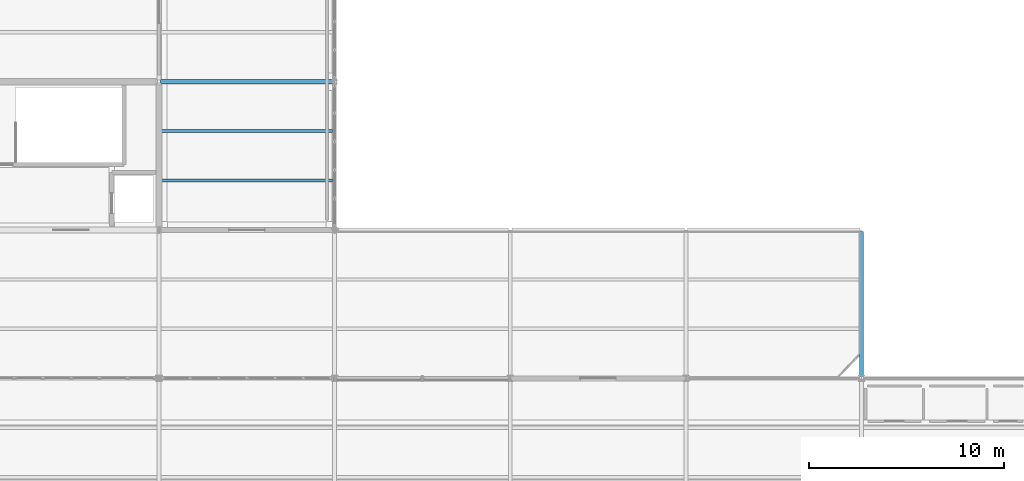
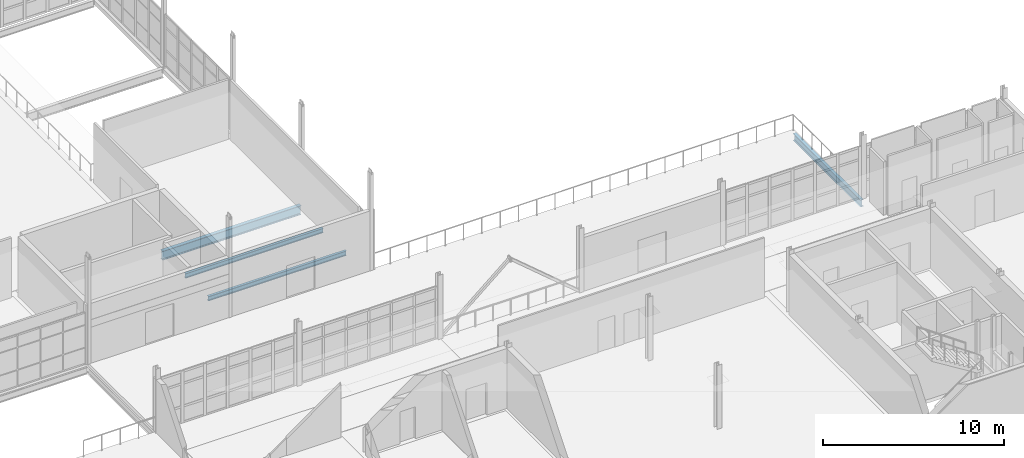
# One storey, part 65 of 166: 4 beams.
"""IFC4 building model written with IfcOpenShell, lengths in metres."""

import ifcopenshell
import ifcopenshell.guid

model = None  # the IFC model being written
_history = None  # IfcOwnerHistory: only IFC2X3 demands one
_inside = {}  # id of a spatial element -> (the spatial element, [elements in it])
_under = {}  # id of a project, library or spatial element -> (it, [spatial elements below it])
_declared = {}  # id of a project -> (the project, [libraries it declares])
_typed = {}  # id of a type object -> (the type object, [elements of that type])
_made_of = {}  # id of a material, layer set ... -> (it, [elements and type objects made of it])


def new_model(schema):
    """Start an empty IFC model of exactly this schema.

    Asked for "IFC4X3", IfcOpenShell would pick the latest addendum, in which some entities
    have other attributes; the version numbers below select the first issue.
    IFC2X3 requires an IfcOwnerHistory on every rooted entity: one is made here for all.
    """
    global model, _history
    if schema == "IFC4X3":
        model = ifcopenshell.file(schema_version=(4, 3, 0, 0))
    else:
        model = ifcopenshell.file(schema=schema)
    _inside.clear()
    _under.clear()
    _declared.clear()
    _typed.clear()
    _made_of.clear()
    _history = None
    if model.schema == "IFC2X3":
        org = make("IfcOrganization", Name="unknown")
        user = make(
            "IfcPersonAndOrganization",
            ThePerson=make("IfcPerson", FamilyName="unknown"),
            TheOrganization=org,
        )
        app = make(
            "IfcApplication",
            ApplicationDeveloper=org,
            Version="unknown",
            ApplicationFullName="unknown",
            ApplicationIdentifier="unknown",
        )
        _history = make(
            "IfcOwnerHistory",
            OwningUser=user,
            OwningApplication=app,
            ChangeAction="ADDED",
            CreationDate=0,
        )
    return model


def make(cls, **values):
    """One entity of the class cls with the attributes given. An attribute that is None is left unset."""
    return model.create_entity(
        cls, **{name: value for name, value in values.items() if value is not None}
    )


def rooted(cls, **values):
    """An entity with a GlobalId (a new one), such as an element, a storey or a relation."""
    return make(cls, GlobalId=ifcopenshell.guid.new(), OwnerHistory=_history, **values)


def si_unit(unit_type, name, prefix=None):
    """IfcSIUnit, for example si_unit("LENGTHUNIT", "METRE", prefix="MILLI")."""
    return make("IfcSIUnit", UnitType=unit_type, Prefix=prefix, Name=name)


def assignment(units):
    """IfcUnitAssignment: the units of a project."""
    return None if units is None else make("IfcUnitAssignment", Units=units)


def point(xyz):
    """IfcCartesianPoint."""
    return None if xyz is None else make("IfcCartesianPoint", Coordinates=xyz)


def direction(xyz):
    """IfcDirection."""
    return None if xyz is None else make("IfcDirection", DirectionRatios=xyz)


def frame(location, z_axis=None, x_axis=None):
    """IfcAxis2Placement3D, a coordinate frame: its origin and axes. An axis left out is left unset."""
    return make(
        "IfcAxis2Placement3D",
        Location=point(location),
        Axis=direction(z_axis),
        RefDirection=direction(x_axis),
    )


def frame_2d(location, x_axis=None):
    """IfcAxis2Placement2D, a coordinate frame in the plane: its origin and x axis."""
    return make(
        "IfcAxis2Placement2D", Location=point(location), RefDirection=direction(x_axis)
    )


def origin():
    """The frame at (0, 0, 0) with its axes left unset."""
    return frame((0.0, 0.0, 0.0))


def origin_2d():
    """The frame at (0, 0) in the plane with its x axis left unset."""
    return frame_2d((0.0, 0.0))


def place(relative_to, where):
    """IfcLocalPlacement: puts the frame where relative to a parent placement (None: the world)."""
    return make(
        "IfcLocalPlacement", PlacementRelTo=relative_to, RelativePlacement=where
    )


def context(
    kind, dimensions, precision=None, world=None, true_north=None, identifier=None
):
    """IfcGeometricRepresentationContext, for example the 3D "Model" context."""
    return make(
        "IfcGeometricRepresentationContext",
        ContextIdentifier=identifier,
        ContextType=kind,
        CoordinateSpaceDimension=dimensions,
        Precision=precision,
        WorldCoordinateSystem=world,
        TrueNorth=true_north,
    )


def subcontext(parent, identifier, kind, view, scale=None):
    """IfcGeometricRepresentationSubContext, for example "Body" below "Model"."""
    return make(
        "IfcGeometricRepresentationSubContext",
        ContextIdentifier=identifier,
        ContextType=kind,
        ParentContext=parent,
        TargetScale=scale,
        TargetView=view,
    )


def project(units=None, contexts=None):
    """IfcProject with its units and contexts."""
    return rooted(
        "IfcProject",
        Name="project",
        RepresentationContexts=contexts,
        UnitsInContext=assignment(units),
    )


def spatial(cls, under=None, at=None, **own):
    """A site, building, storey or space (cls), placed at a placement, below another one or the project."""
    s = rooted(cls, ObjectPlacement=at, **own)
    if under is not None:
        _under.setdefault(under.id(), (under, []))[1].append(s)
    return s


def profile(cls, at=None, kind="AREA", **sizes):
    """A parametric profile (cls). Its sizes go by their IFC names, for example OverallWidth=200.0."""
    return make(cls, ProfileType=kind, Position=at, **sizes)


def i_section(**sizes):
    """IfcIShapeProfileDef."""
    return profile("IfcIShapeProfileDef", **sizes)


def extrude(swept, where, along, depth):
    """IfcExtrudedAreaSolid: the profile swept, set in the frame where, extruded along a direction by depth."""
    return make(
        "IfcExtrudedAreaSolid",
        SweptArea=swept,
        Position=where,
        ExtrudedDirection=direction(along),
        Depth=depth,
    )


def shape(context_of_items, identifier, shape_type, items):
    """IfcShapeRepresentation: the items that make up one representation, for example the "Body"."""
    return make(
        "IfcShapeRepresentation",
        ContextOfItems=context_of_items,
        RepresentationIdentifier=identifier,
        RepresentationType=shape_type,
        Items=items,
    )


def material(Name=None, Category=None):
    """IfcMaterial."""
    return make("IfcMaterial", Name=Name, Category=Category)


def material_profile(
    of_material, cross_section, Name=None, Category=None, Priority=None
):
    """IfcMaterialProfile: a cross section and its material."""
    return make(
        "IfcMaterialProfile",
        Name=Name,
        Material=of_material,
        Profile=cross_section,
        Priority=Priority,
        Category=Category,
    )


def profile_set(profiles, Name=None, composite=None):
    """IfcMaterialProfileSet."""
    return make(
        "IfcMaterialProfileSet",
        Name=Name,
        MaterialProfiles=profiles,
        CompositeProfile=composite,
    )


def made_of(thing, what):
    """Note that an element or type object is made of a material, layer set ...; save() writes the relation."""
    if what is not None:
        _made_of.setdefault(what.id(), (what, []))[1].append(thing)
    return thing


def type_object(cls, material=None, **own):
    """A type object (cls), such as IfcWallType, which elements share."""
    return made_of(rooted(cls, **own), material)


def element(
    cls,
    number,
    at=None,
    inside=None,
    cuts=None,
    type_object=None,
    material=None,
    context=None,
    identifier="Body",
    shape_type=None,
    held_by="IfcProductDefinitionShape",
    body=None,
    shapes=None,
    **own,
):
    """One element of the class cls, such as IfcWall. Its Tag is "e" and its number.

    at: its placement. inside: the storey or other place that contains it. cuts: it is an
    opening in that element (IfcRelVoidsElement). A single representation is given by context,
    identifier, shape_type and body (its items); several are given by shapes. held_by: the class
    of the entity that holds the representations. save() writes the other relations.
    """
    e = rooted(cls, Tag="e%d" % number, ObjectPlacement=at, **own)
    if body is not None:
        shapes = [shape(context, identifier, shape_type, body)]
    if shapes is not None:
        e.Representation = make(held_by, Representations=shapes)
    if inside is not None:
        _inside.setdefault(inside.id(), (inside, []))[1].append(e)
    if cuts is not None:
        rooted(
            "IfcRelVoidsElement", RelatingBuildingElement=cuts, RelatedOpeningElement=e
        )
    if type_object is not None:
        _typed.setdefault(type_object.id(), (type_object, []))[1].append(e)
    return made_of(e, material)


def aggregate(whole, parts):
    """IfcRelAggregates: a whole, such as a stair, and the parts it consists of."""
    return rooted("IfcRelAggregates", RelatingObject=whole, RelatedObjects=parts)


def save(model, path):
    """Write the relations noted so far, then the file.

    IfcRelAggregates (storeys below a building ...), IfcRelContainedInSpatialStructure (elements
    in a storey), IfcRelDefinesByType, IfcRelAssociatesMaterial and IfcRelDeclares: one each for
    every whole, place, type object, material and project.
    """
    for whole, parts in _under.values():
        aggregate(whole, parts)
    for where, things in _inside.values():
        rooted(
            "IfcRelContainedInSpatialStructure",
            RelatedElements=things,
            RelatingStructure=where,
        )
    for kind, things in _typed.values():
        rooted("IfcRelDefinesByType", RelatedObjects=things, RelatingType=kind)
    for what, things in _made_of.values():
        rooted("IfcRelAssociatesMaterial", RelatedObjects=things, RelatingMaterial=what)
    for by, libraries in _declared.values():
        rooted("IfcRelDeclares", RelatingContext=by, RelatedDefinitions=libraries)
    model.write(path)


model = new_model("IFC4")

# Units and contexts
model_context = context("Model", 3, precision=1e-05, world=origin(), true_north=direction((0.0, 1.0)))
body_context = subcontext(model_context, "Body", "Model", "MODEL_VIEW")
ifc_project = project(units=[si_unit("LENGTHUNIT", "METRE"), si_unit("AREAUNIT", "SQUARE_METRE"), si_unit("VOLUMEUNIT", "CUBIC_METRE"), si_unit("PLANEANGLEUNIT", "RADIAN"), si_unit("MASSUNIT", "GRAM", prefix="KILO")], contexts=[model_context])

# Site, building, storey
site_placement = place(None, origin())
site = spatial("IfcSite", under=ifc_project, at=site_placement, CompositionType="ELEMENT")
building_placement = place(site_placement, origin())
building = spatial("IfcBuilding", under=site, at=building_placement, Name="Caisbarro Railhouse Central Library", CompositionType="ELEMENT")
storey_placement = place(building_placement, frame((0.0, 0.0, 9.360107421875)))
storey = spatial("IfcBuildingStorey", under=building, at=storey_placement, Name="L02", CompositionType="ELEMENT", Elevation=9.360107421875)

# Beams
ifc_material = material(Name="Steel ASTM A572 Grade 50", Category="steel")
ifc_material_profile_1 = material_profile(ifc_material, i_section(OverallWidth=0.22802734375, OverallDepth=0.60791015625, WebThickness=0.01123046875, FlangeThickness=0.017333984375, FilletRadius=0.02197265625, at=origin_2d()), Name="W610X113.0")
ifc_profile_set_1 = profile_set([ifc_material_profile_1], Name="Steel ASTM A572 Grade 50")
beam_type_1 = type_object("IfcBeamType", Name="BM-G04", PredefinedType="BEAM", material=ifc_profile_set_1)
beam_1_placement = place(storey_placement, frame((63.080078125, 38.0, -0.524169921875), z_axis=(1.0, 0.0, 0.0), x_axis=(0.0, 1.0, 0.0)))
element("IfcBeam", 1, at=beam_1_placement, inside=storey, type_object=beam_type_1, Name="G04 beam L02 #1366", PredefinedType="BEAM", context=body_context, shape_type="SweptSolid", body=[
    extrude(i_section(OverallWidth=0.22802734375, OverallDepth=0.60791015625, WebThickness=0.01123046875, FlangeThickness=0.017333984375, FilletRadius=0.02197265625, at=origin_2d()), origin(), (0.0, 0.0, 1.0), 8.83984375),
])
ifc_material_profile_2 = material_profile(ifc_material, i_section(OverallWidth=0.194091796875, OverallDepth=0.468994140625, WebThickness=0.0126953125, FlangeThickness=0.0205078125, FilletRadius=0.01806640625, at=origin_2d()), Name="W460X106.0")
ifc_profile_set_2 = profile_set([ifc_material_profile_2], Name="Steel ASTM A572 Grade 50")
beam_type_2 = type_object("IfcBeamType", Name="BM-G07", PredefinedType="BEAM", material=ifc_profile_set_2)
beam_2_placement = place(storey_placement, frame((99.0, 22.8798828125, -0.444580078125), z_axis=(0.0, 1.0, 0.0), x_axis=(-1.0, 0.0, 0.0)))
element("IfcBeam", 2, at=beam_2_placement, inside=storey, type_object=beam_type_2, Name="G07 beam L02 #1617", PredefinedType="BEAM", context=body_context, shape_type="SweptSolid", body=[
    extrude(i_section(OverallWidth=0.194091796875, OverallDepth=0.468994140625, WebThickness=0.0126953125, FlangeThickness=0.0205078125, FilletRadius=0.01806640625, at=origin_2d()), origin(), (0.0, 0.0, 1.0), 7.440185546875),
])
ifc_material_profile_3 = material_profile(ifc_material, i_section(OverallWidth=0.1650390625, OverallDepth=0.31005859375, WebThickness=0.005859375, FlangeThickness=0.009765625, FilletRadius=0.011962890625, at=origin_2d()), Name="W310X38.7")
ifc_profile_set_3 = profile_set([ifc_material_profile_3], Name="Steel ASTM A572 Grade 50")
beam_type_3 = type_object("IfcBeamType", Name="BM-J03", PredefinedType="JOIST", material=ifc_profile_set_3)
for number, where, z_axis, x_axis, name in (
    (3, (63.1044921875, 32.933349609375, -0.375), (1.0, 0.0, 0.0), (0.0, 1.0, 0.0), "J03 beam L02 #1472"),
    (4, (63.1044921875, 35.466796875, -0.375), (1.0, 0.0, 0.0), (0.0, 1.0, 0.0), "J03 beam L02 #1473"),
):
    element("IfcBeam", number, at=place(storey_placement, frame(where, z_axis=z_axis, x_axis=x_axis)), inside=storey, type_object=beam_type_3, Name=name, PredefinedType="JOIST", context=body_context, shape_type="SweptSolid", body=[
        extrude(i_section(OverallWidth=0.1650390625, OverallDepth=0.31005859375, WebThickness=0.005859375, FlangeThickness=0.009765625, FilletRadius=0.011962890625, at=origin_2d()), origin(), (0.0, 0.0, 1.0), 8.79541015625),
    ])

save(model, "model.ifc")
